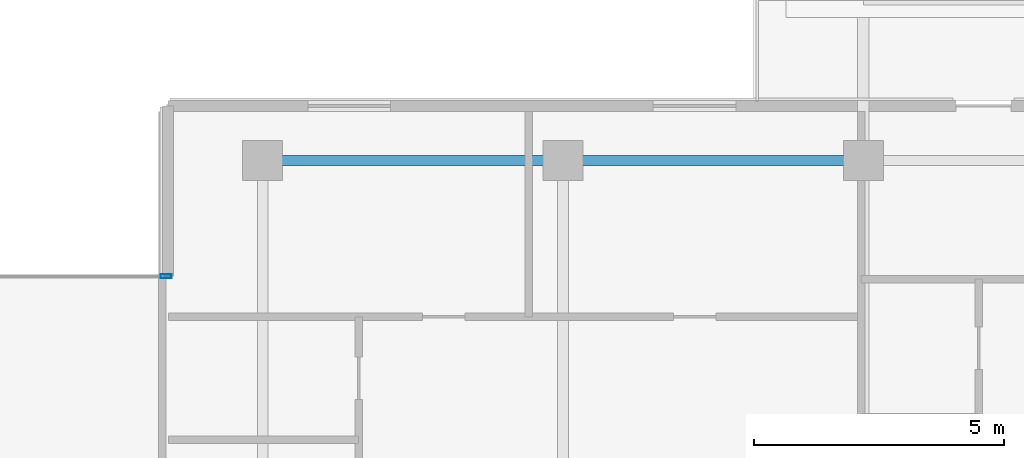
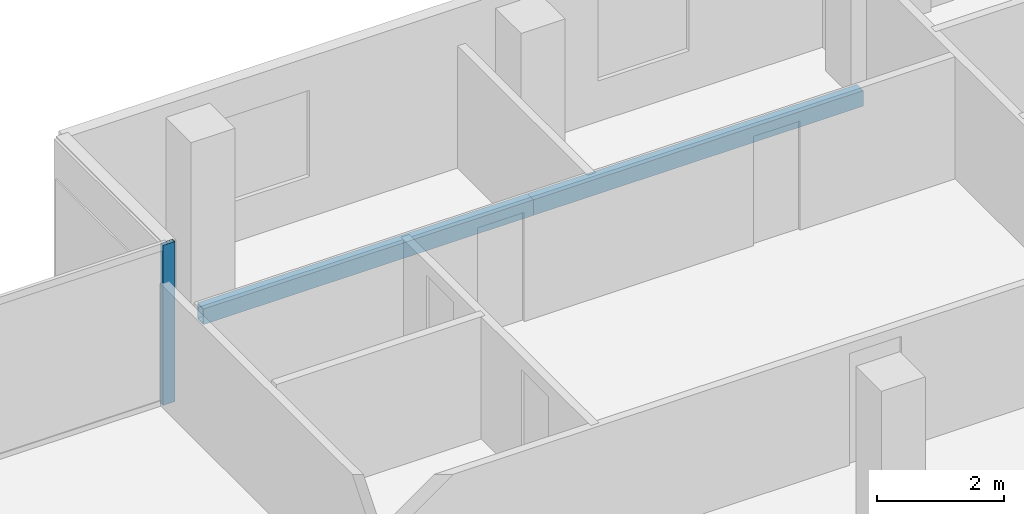
# One storey, part 8 of 20: 2 beams, 1 member, 1 element without a shape of its own.
"""IFC4 building model written with IfcOpenShell, lengths in metres."""

from ifc_helpers import new_model, si_unit, direction, frame, origin, origin_2d, place, context, subcontext, project, spatial, hollow_rectangle, extrude, material, layer, layer_set, material_profile, profile_set, type_object, element, aggregate, save


model = new_model("IFC4")

# Units and contexts
model_context = context("Model", 3, precision=1e-05, world=origin(), true_north=direction((0.0, 1.0)))
body_context = subcontext(model_context, "Body", "Model", "MODEL_VIEW")
ifc_project = project(units=[si_unit("LENGTHUNIT", "METRE"), si_unit("AREAUNIT", "SQUARE_METRE"), si_unit("VOLUMEUNIT", "CUBIC_METRE"), si_unit("PLANEANGLEUNIT", "RADIAN"), si_unit("MASSUNIT", "GRAM", prefix="KILO")], contexts=[model_context])

# Site, building, storey
site_placement = place(None, origin())
site = spatial("IfcSite", under=ifc_project, at=site_placement, CompositionType="ELEMENT")
building_placement = place(site_placement, origin())
building = spatial("IfcBuilding", under=site, at=building_placement, Name="Tanjung Sevakor Pilgrim Tower", CompositionType="ELEMENT")
storey_placement = place(building_placement, frame((0.0, 0.0, 201.6298828125)))
storey = spatial("IfcBuildingStorey", under=building, at=storey_placement, Name="L56", CompositionType="ELEMENT", Elevation=201.6298828125)

# Beams
ifc_material_1 = material(Name="Steel S355J2", Category="steel")
ifc_material_profile_1 = material_profile(ifc_material_1, hollow_rectangle(XDim=0.199951171875, YDim=0.300048828125, WallThickness=0.012451171875, at=origin_2d()))
ifc_profile_set_1 = profile_set([ifc_material_profile_1], Name="Steel S355J2")
beam_type = type_object("IfcBeamType", Name="BM-B-SP3-RHS_300x200x12.5", PredefinedType="SPANDREL", material=ifc_profile_set_1)
for number, where, z_axis, x_axis, name in (
    (1, (54.0, 53.949951171875, -0.369873046875), (1.0, 0.0, 0.0), (0.0, 1.0, 0.0), "L56 Spandrel MAIN N-06"),
    (2, (60.0, 53.949951171875, -0.369873046875), (1.0, 0.0, 0.0), (0.0, 1.0, 0.0), "L56 Spandrel MAIN N-08"),
):
    element("IfcBeam", number, at=place(storey_placement, frame(where, z_axis=z_axis, x_axis=x_axis)), inside=storey, type_object=beam_type, Name=name, PredefinedType="SPANDREL", context=body_context, shape_type="SweptSolid", body=[
        extrude(hollow_rectangle(XDim=0.199951171875, YDim=0.300048828125, WallThickness=0.012451171875, at=origin_2d()), origin(), (0.0, 0.0, 1.0), 6.0),
    ])

# Curtain wall, member
ifc_material_2 = material(Name="Aluminium 6063-T6 and Low-E Glass", Category="aluminium")
ifc_layer = layer(ifc_material_2, 0.179931640625)
ifc_layer_set = layer_set([ifc_layer], Name="CW-SYS-CLEFT")
curtain_wall_type = type_object("IfcCurtainWallType", Name="CW-SYS-CLEFT", PredefinedType="NOTDEFINED", material=ifc_layer_set)
curtain_wall_placement = place(storey_placement, origin())
curtain_wall = element("IfcCurtainWall", 3, at=curtain_wall_placement, inside=storey, type_object=curtain_wall_type, Name="L56 Curtain Wall CW-CLF-L56-10", PredefinedType="NOTDEFINED")
ifc_material_3 = material(Name="Aluminium 6063-T6", Category="aluminium")
ifc_material_profile_2 = material_profile(ifc_material_3, hollow_rectangle(XDim=0.074951171875, YDim=0.219970703125, WallThickness=0.0048828125, at=origin_2d()))
ifc_profile_set_2 = profile_set([ifc_material_profile_2], Name="Aluminium 6063-T6")
member_type = type_object("IfcMemberType", Name="TYPE-CWM-2", PredefinedType="MULLION", material=ifc_profile_set_2)
member_placement = place(storey_placement, frame((52.072509765625, 51.639892578125, 0.0), z_axis=(0.0, 0.0, 1.0), x_axis=(0.0, -1.0, 0.0)))
member = element("IfcMember", 4, at=member_placement, type_object=member_type, Name="CW-CLF mullion 1", PredefinedType="MULLION", context=body_context, shape_type="SweptSolid", body=[
    extrude(hollow_rectangle(XDim=0.074951171875, YDim=0.219970703125, WallThickness=0.0048828125, at=origin_2d()), origin(), (0.0, 0.0, 1.0), 3.080078125),
])
aggregate(curtain_wall, [member])

save(model, "model.ifc")
